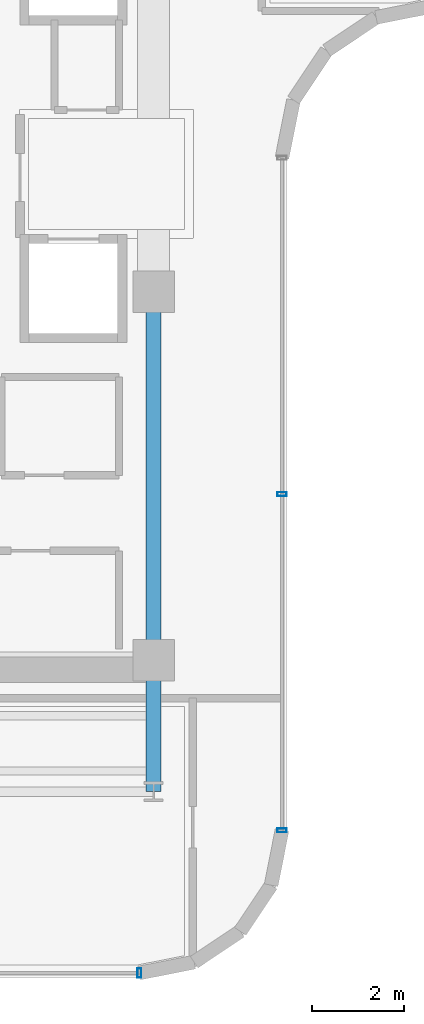
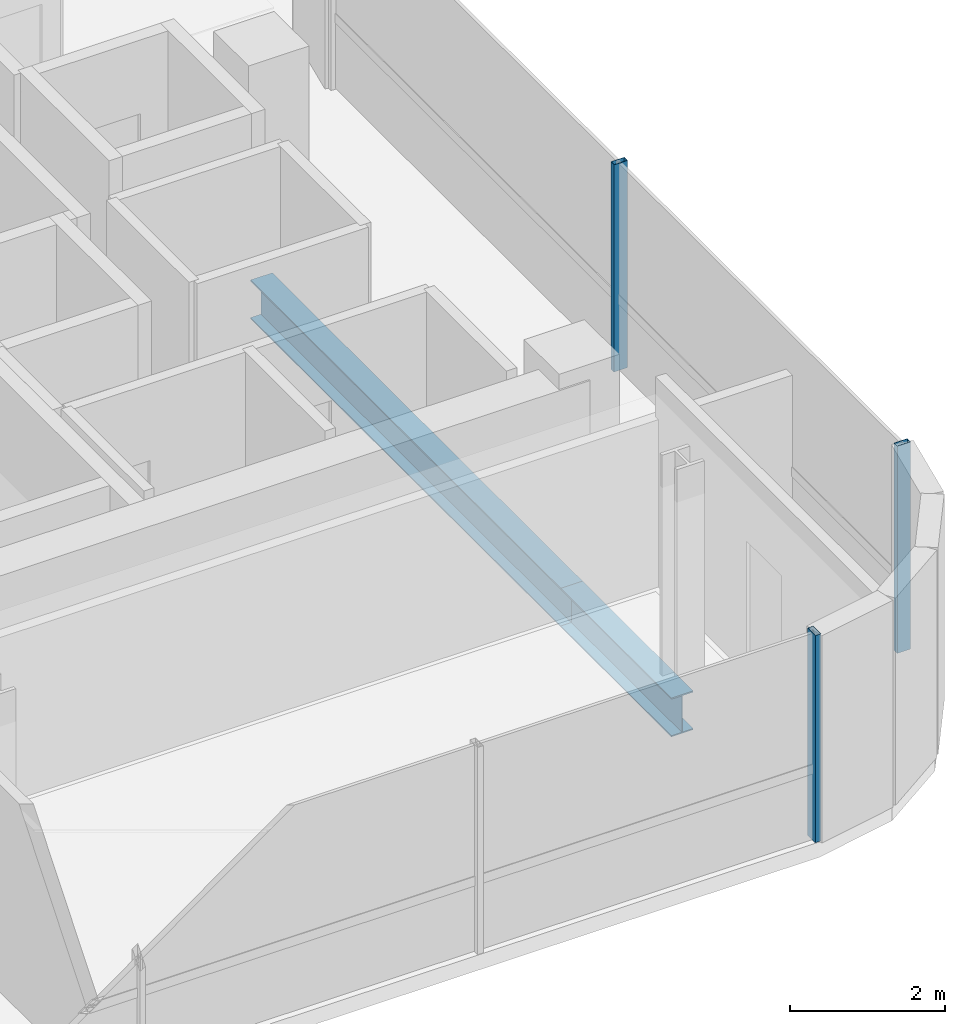
# One storey, part 5 of 22: 3 members, 2 beams, 2 elements without a shape of their own.
"""IFC4 building model written with IfcOpenShell, lengths in metres."""

from ifc_helpers import new_model, si_unit, direction, frame, origin, origin_2d, place, context, subcontext, project, spatial, hollow_rectangle, i_section, extrude, source, transform, mapped, material, material_profile, profile_set, type_object, element, aggregate, save


model = new_model("IFC4")

# Units and contexts
model_context = context("Model", 3, precision=1e-05, world=origin(), true_north=direction((0.0, 1.0)))
body_context = subcontext(model_context, "Body", "Model", "MODEL_VIEW")
ifc_project = project(units=[si_unit("LENGTHUNIT", "METRE"), si_unit("AREAUNIT", "SQUARE_METRE"), si_unit("VOLUMEUNIT", "CUBIC_METRE"), si_unit("PLANEANGLEUNIT", "RADIAN"), si_unit("MASSUNIT", "GRAM", prefix="KILO")], contexts=[model_context])

# Site, building, storey
site_placement = place(None, origin())
site = spatial("IfcSite", under=ifc_project, at=site_placement, CompositionType="ELEMENT")
building_placement = place(site_placement, origin())
building = spatial("IfcBuilding", under=site, at=building_placement, Name="Valdorenza Pilgrim Sanctuary Tower", CompositionType="ELEMENT")
storey_placement = place(building_placement, frame((0.0, 0.0, 237.0)))
storey = spatial("IfcBuildingStorey", under=building, at=storey_placement, Name="L61", CompositionType="ELEMENT", Elevation=237.0)

# Beams
ifc_material_1 = material(Name="Steel ASTM A992 Grade 50", Category="steel")
ifc_material_profile_1 = material_profile(ifc_material_1, i_section(OverallWidth=0.323974609375, OverallDepth=0.611083984375, WebThickness=0.0126953125, FlangeThickness=0.01904296875, at=origin_2d()), Name="W24X104")
ifc_profile_set_1 = profile_set([ifc_material_profile_1], Name="Steel ASTM A992 Grade 50")
beam_type = type_object("IfcBeamType", Name="STR-BM-GRD-W24B", PredefinedType="BEAM", material=ifc_profile_set_1)
shared_shape_1 = source(origin(), body_context, "Body", "SweptSolid", [
    extrude(i_section(OverallWidth=0.323974609375, OverallDepth=0.611083984375, WebThickness=0.0126953125, FlangeThickness=0.01904296875, at=origin_2d()), origin(), (0.0, 0.0, 1.0), 8.0),
])
beam_1_placement = place(storey_placement, frame((-12.39990234375, -10.60009765625, -0.54541015625), z_axis=(0.0, 1.0, 0.0), x_axis=(-1.0, 0.0, 0.0)))
element("IfcBeam", 1, at=beam_1_placement, inside=storey, type_object=beam_type, Name="L61 Core Tie Girder CA-E-S1M0", PredefinedType="BEAM", context=body_context, shape_type="MappedRepresentation", body=[
    mapped(shared_shape_1, transform((0.0, 0.0, 0.0), x_axis=(1.0, 0.0, 0.0), y_axis=(0.0, 1.0, 0.0), z_axis=(0.0, 0.0, 1.0), scale=1.0)),
])
shared_shape_2 = source(origin(), body_context, "Body", "SweptSolid", [
    extrude(i_section(OverallWidth=0.323974609375, OverallDepth=0.611083984375, WebThickness=0.0126953125, FlangeThickness=0.01904296875, at=origin_2d()), origin(), (0.0, 0.0, 1.0), 2.849853515625),
])
beam_2_placement = place(storey_placement, frame((-12.39990234375, -13.449951171875, -0.54541015625), z_axis=(0.0, 1.0, 0.0), x_axis=(-1.0, 0.0, 0.0)))
element("IfcBeam", 2, at=beam_2_placement, inside=storey, type_object=beam_type, Name="L61 Floor Girder WA-S-LE", PredefinedType="BEAM", context=body_context, shape_type="MappedRepresentation", body=[
    mapped(shared_shape_2, transform((0.0, 0.0, 0.0), x_axis=(1.0, 0.0, 0.0), y_axis=(0.0, 1.0, 0.0), z_axis=(0.0, 0.0, 1.0), scale=1.0)),
])

# Curtain wall, members
ifc_material_2 = material(Name="Curtain-wall IGU glazing", Category="glass")
curtain_wall_type = type_object("IfcCurtainWallType", Name="CW-SYS-02", PredefinedType="NOTDEFINED", material=ifc_material_2)
curtain_wall_1_placement = place(storey_placement, origin())
curtain_wall_1 = element("IfcCurtainWall", 3, at=curtain_wall_1_placement, inside=storey, type_object=curtain_wall_type, Name="L61 Curtain Wall CW-L61-1-21", PredefinedType="NOTDEFINED")
ifc_material_3 = material(Name="Anodised aluminium AW-6060", Category="aluminium")
ifc_material_profile_2 = material_profile(ifc_material_3, hollow_rectangle(XDim=0.0849609375, YDim=0.199951171875, WallThickness=0.0048828125, at=origin_2d()), Name="ALU-M 200x85x5")
ifc_profile_set_2 = profile_set([ifc_material_profile_2], Name="Anodised aluminium AW-6060")
member_type = type_object("IfcMemberType", Name="CW-MUL-02", PredefinedType="MULLION", material=ifc_profile_set_2)
shared_shape_3 = source(origin(), body_context, "Body", "SweptSolid", [
    extrude(hollow_rectangle(XDim=0.0849609375, YDim=0.199951171875, WallThickness=0.0048828125, at=origin_2d()), origin(), (0.0, 0.0, 1.0), 3.260009765625),
])
member_1_placement = place(storey_placement, frame((-9.610107421875, -6.9892578125, 0.0), z_axis=(0.0, 0.0, 1.0), x_axis=(0.0, -1.0, 0.0)))
member_1 = element("IfcMember", 4, at=member_1_placement, type_object=member_type, Name="CW-L61-1-21 Mullion 2", PredefinedType="MULLION", context=body_context, shape_type="MappedRepresentation", body=[
    mapped(shared_shape_3, transform((0.0, 0.0, 0.0), x_axis=(1.0, 0.0, 0.0), y_axis=(0.0, 1.0, 0.0), z_axis=(0.0, 0.0, 1.0), scale=1.0)),
])
member_2_placement = place(storey_placement, frame((-9.610107421875, -14.289306640625, 0.0), z_axis=(0.0, 0.0, 1.0), x_axis=(0.0, -1.0, 0.0)))
member_2 = element("IfcMember", 5, at=member_2_placement, type_object=member_type, Name="CW-L61-1-21 Mullion 3", PredefinedType="MULLION", context=body_context, shape_type="MappedRepresentation", body=[
    mapped(shared_shape_3, transform((0.0, 0.0, 0.0), x_axis=(1.0, 0.0, 0.0), y_axis=(0.0, 1.0, 0.0), z_axis=(0.0, 0.0, 1.0), scale=1.0)),
])
aggregate(curtain_wall_1, [member_1, member_2])

# Curtain wall, member
curtain_wall_2_placement = place(storey_placement, origin())
curtain_wall_2 = element("IfcCurtainWall", 6, at=curtain_wall_2_placement, inside=storey, type_object=curtain_wall_type, Name="L61 Curtain Wall CW-L61-1-26", PredefinedType="NOTDEFINED")
member_3_placement = place(storey_placement, frame((-12.710693359375, -17.389892578125, 0.0), z_axis=(0.0, 0.0, 1.0), x_axis=(-1.0, 0.0, 0.0)))
member_3 = element("IfcMember", 7, at=member_3_placement, type_object=member_type, Name="CW-L61-1-26 Mullion 1", PredefinedType="MULLION", context=body_context, shape_type="MappedRepresentation", body=[
    mapped(shared_shape_3, transform((0.0, 0.0, 0.0), x_axis=(1.0, 0.0, 0.0), y_axis=(0.0, 1.0, 0.0), z_axis=(0.0, 0.0, 1.0), scale=1.0)),
])
aggregate(curtain_wall_2, [member_3])

save(model, "model.ifc")
